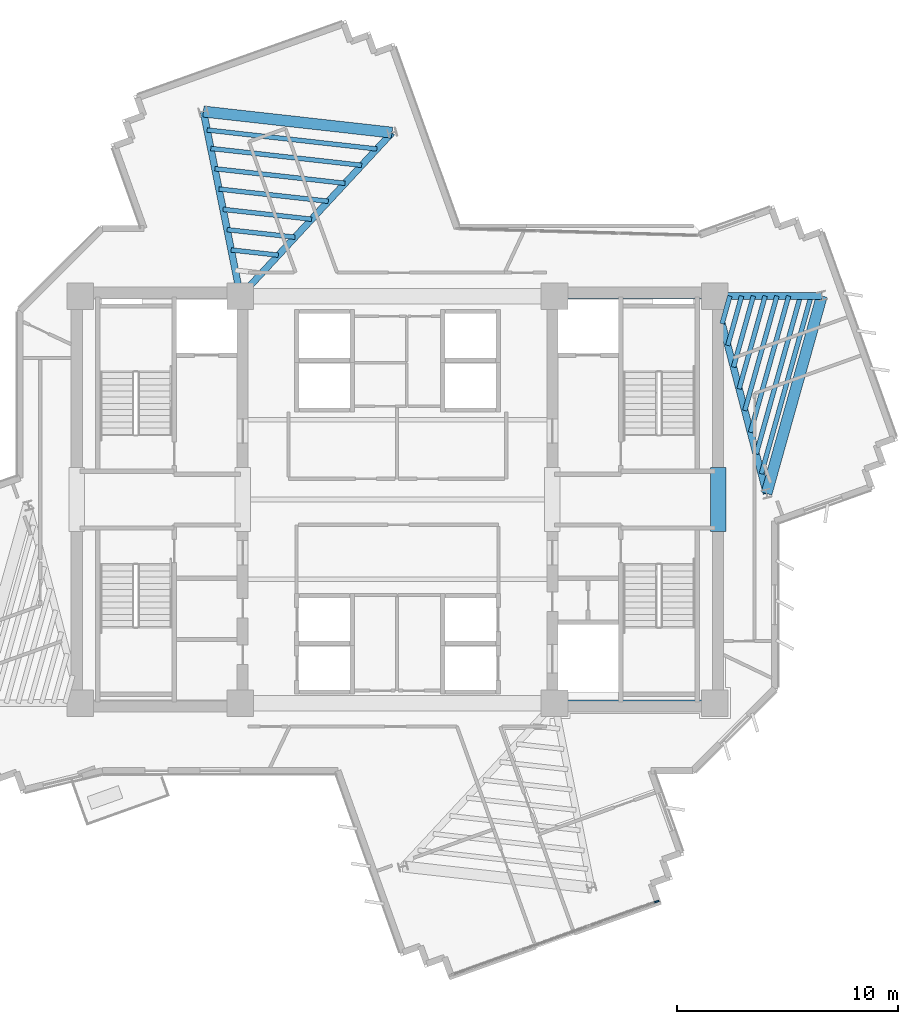
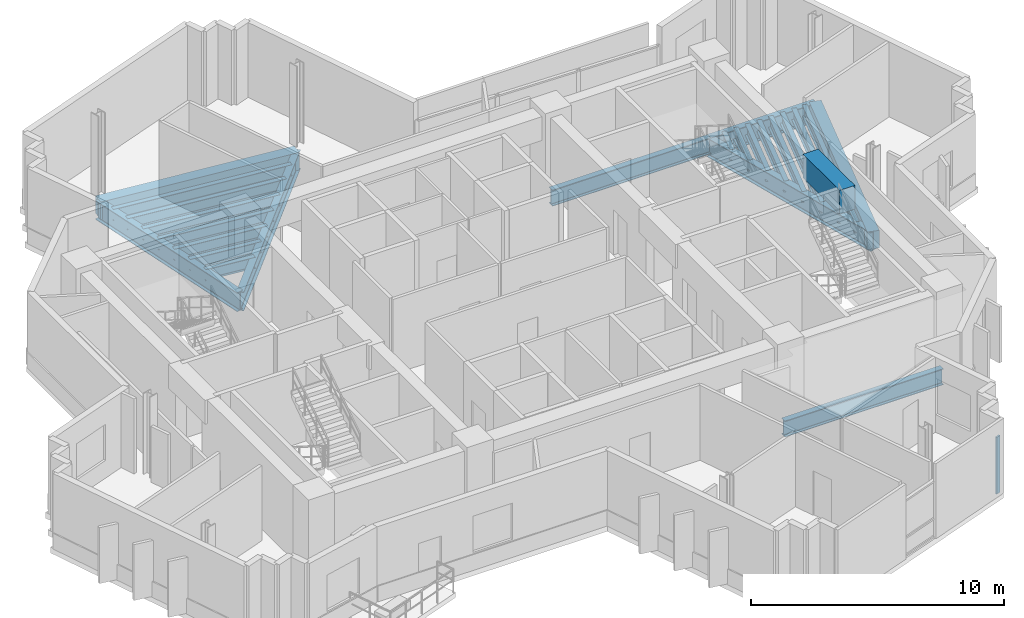
# One storey, part 3 of 13: 24 beams, 1 member, 1 element without a shape of its own.
"""IFC4 building model written with IfcOpenShell, lengths in metres."""

from ifc_helpers import new_model, si_unit, direction, frame, origin, origin_2d, place, context, subcontext, project, spatial, rectangle, i_section, extrude, source, transform, mapped, material, layer, layer_set, material_profile, profile_set, type_object, element, aggregate, save


model = new_model("IFC4")

# Units and contexts
model_context = context("Model", 3, precision=1e-05, world=origin(), true_north=direction((0.0, 1.0)))
body_context = subcontext(model_context, "Body", "Model", "MODEL_VIEW")
ifc_project = project(units=[si_unit("LENGTHUNIT", "METRE"), si_unit("AREAUNIT", "SQUARE_METRE"), si_unit("VOLUMEUNIT", "CUBIC_METRE"), si_unit("PLANEANGLEUNIT", "RADIAN"), si_unit("MASSUNIT", "GRAM", prefix="KILO")], contexts=[model_context])

# Site, building, storey
site_placement = place(None, origin())
site = spatial("IfcSite", under=ifc_project, at=site_placement, CompositionType="ELEMENT")
building_placement = place(site_placement, origin())
building = spatial("IfcBuilding", under=site, at=building_placement, Name="Zahravan Cultural Tower", CompositionType="ELEMENT")
storey_placement = place(building_placement, frame((0.0, 0.0, 221.39990234375)))
storey = spatial("IfcBuildingStorey", under=building, at=storey_placement, Name="L52", CompositionType="ELEMENT", Elevation=221.39990234375)

# Beams
ifc_material_1 = material(Name="Concrete C50/60", Category="concrete")
ifc_material_profile_1 = material_profile(ifc_material_1, rectangle(XDim=0.699951171875, YDim=1.14990234375, at=origin_2d()), Name="RC700X1150")
ifc_profile_set_1 = profile_set([ifc_material_profile_1], Name="Concrete C50/60")
beam_type_1 = type_object("IfcBeamType", Name="BM-LN-RC700X1150", PredefinedType="LINTEL", material=ifc_profile_set_1)
shared_shape_1 = source(origin(), body_context, "Body", "SweptSolid", [
    extrude(rectangle(XDim=0.699951171875, YDim=1.14990234375, at=origin_2d()), origin(), (0.0, 0.0, 1.0), 2.89990234375),
])
beam_1_placement = place(storey_placement, frame((50.5, 25.550048828125, 3.045166015625), z_axis=(0.0, 1.0, 0.0), x_axis=(-1.0, 0.0, 0.0)))
element("IfcBeam", 1, at=beam_1_placement, inside=storey, type_object=beam_type_1, Name="L52 Beam LN-L52-PEE", PredefinedType="LINTEL", context=body_context, shape_type="MappedRepresentation", body=[
    mapped(shared_shape_1, transform((0.0, 0.0, 0.0), x_axis=(1.0, 0.0, 0.0), y_axis=(0.0, 1.0, 0.0), z_axis=(0.0, 0.0, 1.0), scale=1.0)),
])
ifc_material_2 = material(Name="Steel ASTM A992 Grade 50", Category="steel")
ifc_material_profile_2 = material_profile(ifc_material_2, i_section(OverallWidth=0.26611328125, OverallDepth=0.780029296875, WebThickness=0.0166015625, FlangeThickness=0.030029296875, FilletRadius=0.01904296875, at=origin_2d()), Name="W30X148")
ifc_profile_set_2 = profile_set([ifc_material_profile_2], Name="Steel ASTM A992 Grade 50")
beam_type_2 = type_object("IfcBeamType", Name="BM-G-W30X148", PredefinedType="BEAM", material=ifc_profile_set_2)
shared_shape_2 = source(origin(), body_context, "Body", "SweptSolid", [
    extrude(i_section(OverallWidth=0.26611328125, OverallDepth=0.780029296875, WebThickness=0.0166015625, FlangeThickness=0.030029296875, FilletRadius=0.01904296875, at=origin_2d()), origin(), (0.0, 0.0, 1.0), 7.25),
])
for number, where, z_axis, x_axis, name in (
    (2, (43.10009765625, 17.800048828125, -0.669921875), (1.0, 0.0, 0.0), (0.0, 1.0, 0.0), "L52 Beam BG-L52-04"),
    (3, (43.10009765625, 36.199951171875, -0.669921875), (1.0, 0.0, 0.0), (0.0, 1.0, 0.0), "L52 Beam BG-L52-05"),
):
    element("IfcBeam", number, at=place(storey_placement, frame(where, z_axis=z_axis, x_axis=x_axis)), inside=storey, type_object=beam_type_2, Name=name, PredefinedType="BEAM", context=body_context, shape_type="MappedRepresentation", body=[
        mapped(shared_shape_2, transform((0.0, 0.0, 0.0), x_axis=(1.0, 0.0, 0.0), y_axis=(0.0, 1.0, 0.0), z_axis=(0.0, 0.0, 1.0), scale=1.0)),
    ])
ifc_material_profile_3 = material_profile(ifc_material_2, i_section(OverallWidth=0.304931640625, OverallDepth=0.9189453125, WebThickness=0.017333984375, FlangeThickness=0.02783203125, FilletRadius=0.02392578125, at=origin_2d()), Name="W36X170")
ifc_profile_set_3 = profile_set([ifc_material_profile_3], Name="Steel ASTM A992 Grade 50")
beam_type_3 = type_object("IfcBeamType", Name="BM-G-W36X170", PredefinedType="BEAM", material=ifc_profile_set_3)
shared_shape_3 = source(origin(), body_context, "Body", "SweptSolid", [
    extrude(i_section(OverallWidth=0.304931640625, OverallDepth=0.9189453125, WebThickness=0.017333984375, FlangeThickness=0.02783203125, FilletRadius=0.02392578125, at=origin_2d()), origin(), (0.0, 0.0, 1.0), 9.22900390625),
])
beam_2_placement = place(storey_placement, frame((50.35009765625, 36.199951171875, -0.739501953125), z_axis=(0.252922608408, -0.967486513682, 0.0), x_axis=(0.967486513682, 0.252922608408, 0.0)))
element("IfcBeam", 4, at=beam_2_placement, inside=storey, type_object=beam_type_3, Name="L52 Beam BG-L52-11", PredefinedType="BEAM", context=body_context, shape_type="MappedRepresentation", body=[
    mapped(shared_shape_3, transform((0.0, 0.0, 0.0), x_axis=(1.0, 0.0, 0.0), y_axis=(0.0, 1.0, 0.0), z_axis=(0.0, 0.0, 1.0), scale=1.0)),
])
shared_shape_4 = source(origin(), body_context, "Body", "SweptSolid", [
    extrude(i_section(OverallWidth=0.304931640625, OverallDepth=0.9189453125, WebThickness=0.017333984375, FlangeThickness=0.02783203125, FilletRadius=0.02392578125, at=origin_2d()), origin(), (0.0, 0.0, 1.0), 4.834716796875),
])
beam_3_placement = place(storey_placement, frame((50.35009765625, 36.199951171875, -0.739501953125), z_axis=(0.99999920313, 0.001262433979, 0.0), x_axis=(-0.001262433979, 0.99999920313, 0.0)))
element("IfcBeam", 5, at=beam_3_placement, inside=storey, type_object=beam_type_3, Name="L52 Beam BG-L52-12", PredefinedType="BEAM", context=body_context, shape_type="MappedRepresentation", body=[
    mapped(shared_shape_4, transform((0.0, 0.0, 0.0), x_axis=(1.0, 0.0, 0.0), y_axis=(0.0, 1.0, 0.0), z_axis=(0.0, 0.0, 1.0), scale=1.0)),
])
shared_shape_5 = source(origin(), body_context, "Body", "SweptSolid", [
    extrude(i_section(OverallWidth=0.304931640625, OverallDepth=0.9189453125, WebThickness=0.017333984375, FlangeThickness=0.02783203125, FilletRadius=0.02392578125, at=origin_2d()), origin(), (0.0, 0.0, 1.0), 10.077880859375),
])
beam_4_placement = place(storey_placement, frame((28.89990234375, 36.199951171875, -0.739501953125), z_axis=(0.680170435587, 0.733054007938, 0.0), x_axis=(-0.733054007938, 0.680170435587, 0.0)))
element("IfcBeam", 6, at=beam_4_placement, inside=storey, type_object=beam_type_3, Name="L52 Beam BG-L52-13", PredefinedType="BEAM", context=body_context, shape_type="MappedRepresentation", body=[
    mapped(shared_shape_5, transform((0.0, 0.0, 0.0), x_axis=(1.0, 0.0, 0.0), y_axis=(0.0, 1.0, 0.0), z_axis=(0.0, 0.0, 1.0), scale=1.0)),
])
shared_shape_6 = source(origin(), body_context, "Body", "SweptSolid", [
    extrude(i_section(OverallWidth=0.304931640625, OverallDepth=0.9189453125, WebThickness=0.017333984375, FlangeThickness=0.02783203125, FilletRadius=0.02392578125, at=origin_2d()), origin(), (0.0, 0.0, 1.0), 8.50732421875),
])
beam_5_placement = place(storey_placement, frame((28.89990234375, 36.199951171875, -0.739501953125), z_axis=(-0.196524514012, 0.980498911469, 0.0), x_axis=(-0.980498911469, -0.196524514012, 0.0)))
element("IfcBeam", 7, at=beam_5_placement, inside=storey, type_object=beam_type_3, Name="L52 Beam BG-L52-14", PredefinedType="BEAM", context=body_context, shape_type="MappedRepresentation", body=[
    mapped(shared_shape_6, transform((0.0, 0.0, 0.0), x_axis=(1.0, 0.0, 0.0), y_axis=(0.0, 1.0, 0.0), z_axis=(0.0, 0.0, 1.0), scale=1.0)),
])
ifc_material_profile_4 = material_profile(ifc_material_1, rectangle(XDim=0.5, YDim=0.85009765625, at=origin_2d()), Name="RC500X850")
ifc_profile_set_4 = profile_set([ifc_material_profile_4], Name="Concrete C50/60")
beam_type_4 = type_object("IfcBeamType", Name="BM-SP-RC500X850", PredefinedType="SPANDREL", material=ifc_profile_set_4)
shared_shape_7 = source(origin(), body_context, "Body", "SweptSolid", [
    extrude(rectangle(XDim=0.5, YDim=0.85009765625, at=origin_2d()), origin(), (0.0, 0.0, 1.0), 9.2783203125),
])
beam_6_placement = place(storey_placement, frame((52.684326171875, 27.27099609375, -0.704833984375), z_axis=(0.269497187032, 0.963001176625, 0.0), x_axis=(-0.963001176625, 0.269497187032, 0.0)))
element("IfcBeam", 8, at=beam_6_placement, inside=storey, type_object=beam_type_4, Name="L52 Beam SP-L52-17", PredefinedType="SPANDREL", context=body_context, shape_type="MappedRepresentation", body=[
    mapped(shared_shape_7, transform((0.0, 0.0, 0.0), x_axis=(1.0, 0.0, 0.0), y_axis=(0.0, 1.0, 0.0), z_axis=(0.0, 0.0, 1.0), scale=1.0)),
])
shared_shape_8 = source(origin(), body_context, "Body", "SweptSolid", [
    extrude(rectangle(XDim=0.5, YDim=0.85009765625, at=origin_2d()), origin(), (0.0, 0.0, 1.0), 8.579833984375),
])
beam_7_placement = place(storey_placement, frame((35.754638671875, 43.587646484375, -0.704833984375), z_axis=(-0.9938040105, 0.11114669907, 0.0), x_axis=(-0.11114669907, -0.9938040105, 0.0)))
element("IfcBeam", 9, at=beam_7_placement, inside=storey, type_object=beam_type_4, Name="L52 Beam SP-L52-18", PredefinedType="SPANDREL", context=body_context, shape_type="MappedRepresentation", body=[
    mapped(shared_shape_8, transform((0.0, 0.0, 0.0), x_axis=(1.0, 0.0, 0.0), y_axis=(0.0, 1.0, 0.0), z_axis=(0.0, 0.0, 1.0), scale=1.0)),
])
ifc_material_profile_5 = material_profile(ifc_material_2, i_section(OverallWidth=0.2099609375, OverallDepth=0.532958984375, WebThickness=0.01025390625, FlangeThickness=0.015625, FilletRadius=0.013916015625, at=origin_2d()), Name="W21X62")
ifc_profile_set_5 = profile_set([ifc_material_profile_5], Name="Steel ASTM A992 Grade 50")
beam_type_5 = type_object("IfcBeamType", Name="BM-J-W21X62", PredefinedType="JOIST", material=ifc_profile_set_5)
shared_shape_9 = source(origin(), body_context, "Body", "SweptSolid", [
    extrude(i_section(OverallWidth=0.2099609375, OverallDepth=0.532958984375, WebThickness=0.01025390625, FlangeThickness=0.015625, FilletRadius=0.013916015625, at=origin_2d()), origin(), (0.0, 0.0, 1.0), 1.299072265625),
])
beam_8_placement = place(storey_placement, frame((50.6767578125, 34.949951171875, -0.54638671875), z_axis=(0.269504444708, 0.962999145525, 0.0), x_axis=(-0.962999145525, 0.269504444708, 0.0)))
element("IfcBeam", 10, at=beam_8_placement, inside=storey, type_object=beam_type_5, Name="L52 Beam BJ-L52-38", PredefinedType="JOIST", context=body_context, shape_type="MappedRepresentation", body=[
    mapped(shared_shape_9, transform((0.0, 0.0, 0.0), x_axis=(1.0, 0.0, 0.0), y_axis=(0.0, 1.0, 0.0), z_axis=(0.0, 0.0, 1.0), scale=1.0)),
])
shared_shape_10 = source(origin(), body_context, "Body", "SweptSolid", [
    extrude(i_section(OverallWidth=0.2099609375, OverallDepth=0.532958984375, WebThickness=0.01025390625, FlangeThickness=0.015625, FilletRadius=0.013916015625, at=origin_2d()), origin(), (0.0, 0.0, 1.0), 2.3193359375),
])
beam_9_placement = place(storey_placement, frame((50.93359375, 33.9677734375, -0.54638671875), z_axis=(0.269462038626, 0.963011012263, 0.0), x_axis=(-0.963011012263, 0.269462038626, 0.0)))
element("IfcBeam", 11, at=beam_9_placement, inside=storey, type_object=beam_type_5, Name="L52 Beam BJ-L52-39", PredefinedType="JOIST", context=body_context, shape_type="MappedRepresentation", body=[
    mapped(shared_shape_10, transform((0.0, 0.0, 0.0), x_axis=(1.0, 0.0, 0.0), y_axis=(0.0, 1.0, 0.0), z_axis=(0.0, 0.0, 1.0), scale=1.0)),
])
shared_shape_11 = source(origin(), body_context, "Body", "SweptSolid", [
    extrude(i_section(OverallWidth=0.2099609375, OverallDepth=0.532958984375, WebThickness=0.01025390625, FlangeThickness=0.015625, FilletRadius=0.013916015625, at=origin_2d()), origin(), (0.0, 0.0, 1.0), 3.340087890625),
])
beam_10_placement = place(storey_placement, frame((51.190185546875, 32.985595703125, -0.54638671875), z_axis=(0.269562146951, 0.962982995141, 0.0), x_axis=(-0.962982995141, 0.269562146951, 0.0)))
element("IfcBeam", 12, at=beam_10_placement, inside=storey, type_object=beam_type_5, Name="L52 Beam BJ-L52-40", PredefinedType="JOIST", context=body_context, shape_type="MappedRepresentation", body=[
    mapped(shared_shape_11, transform((0.0, 0.0, 0.0), x_axis=(1.0, 0.0, 0.0), y_axis=(0.0, 1.0, 0.0), z_axis=(0.0, 0.0, 1.0), scale=1.0)),
])
shared_shape_12 = source(origin(), body_context, "Body", "SweptSolid", [
    extrude(i_section(OverallWidth=0.2099609375, OverallDepth=0.532958984375, WebThickness=0.01025390625, FlangeThickness=0.015625, FilletRadius=0.013916015625, at=origin_2d()), origin(), (0.0, 0.0, 1.0), 4.36083984375),
])
beam_11_placement = place(storey_placement, frame((51.447021484375, 32.00341796875, -0.54638671875), z_axis=(0.269511557673, 0.962997154866, 0.0), x_axis=(-0.962997154866, 0.269511557673, 0.0)))
element("IfcBeam", 13, at=beam_11_placement, inside=storey, type_object=beam_type_5, Name="L52 Beam BJ-L52-41", PredefinedType="JOIST", context=body_context, shape_type="MappedRepresentation", body=[
    mapped(shared_shape_12, transform((0.0, 0.0, 0.0), x_axis=(1.0, 0.0, 0.0), y_axis=(0.0, 1.0, 0.0), z_axis=(0.0, 0.0, 1.0), scale=1.0)),
])
shared_shape_13 = source(origin(), body_context, "Body", "SweptSolid", [
    extrude(i_section(OverallWidth=0.2099609375, OverallDepth=0.532958984375, WebThickness=0.01025390625, FlangeThickness=0.015625, FilletRadius=0.013916015625, at=origin_2d()), origin(), (0.0, 0.0, 1.0), 5.3818359375),
])
beam_12_placement = place(storey_placement, frame((51.703857421875, 31.02099609375, -0.54638671875), z_axis=(0.269510454638, 0.962997463569, 0.0), x_axis=(-0.962997463569, 0.269510454638, 0.0)))
element("IfcBeam", 14, at=beam_12_placement, inside=storey, type_object=beam_type_5, Name="L52 Beam BJ-L52-42", PredefinedType="JOIST", context=body_context, shape_type="MappedRepresentation", body=[
    mapped(shared_shape_13, transform((0.0, 0.0, 0.0), x_axis=(1.0, 0.0, 0.0), y_axis=(0.0, 1.0, 0.0), z_axis=(0.0, 0.0, 1.0), scale=1.0)),
])
shared_shape_14 = source(origin(), body_context, "Body", "SweptSolid", [
    extrude(i_section(OverallWidth=0.2099609375, OverallDepth=0.532958984375, WebThickness=0.01025390625, FlangeThickness=0.015625, FilletRadius=0.013916015625, at=origin_2d()), origin(), (0.0, 0.0, 1.0), 6.402099609375),
])
beam_13_placement = place(storey_placement, frame((51.960693359375, 30.038818359375, -0.54638671875), z_axis=(0.269494133533, 0.963002031146, 0.0), x_axis=(-0.963002031146, 0.269494133533, 0.0)))
element("IfcBeam", 15, at=beam_13_placement, inside=storey, type_object=beam_type_5, Name="L52 Beam BJ-L52-43", PredefinedType="JOIST", context=body_context, shape_type="MappedRepresentation", body=[
    mapped(shared_shape_14, transform((0.0, 0.0, 0.0), x_axis=(1.0, 0.0, 0.0), y_axis=(0.0, 1.0, 0.0), z_axis=(0.0, 0.0, 1.0), scale=1.0)),
])
shared_shape_15 = source(origin(), body_context, "Body", "SweptSolid", [
    extrude(i_section(OverallWidth=0.2099609375, OverallDepth=0.532958984375, WebThickness=0.01025390625, FlangeThickness=0.015625, FilletRadius=0.013916015625, at=origin_2d()), origin(), (0.0, 0.0, 1.0), 7.4228515625),
])
beam_14_placement = place(storey_placement, frame((52.21728515625, 29.056640625, -0.54638671875), z_axis=(0.269504266128, 0.962999195503, 0.0), x_axis=(-0.962999195503, 0.269504266128, 0.0)))
element("IfcBeam", 16, at=beam_14_placement, inside=storey, type_object=beam_type_5, Name="L52 Beam BJ-L52-44", PredefinedType="JOIST", context=body_context, shape_type="MappedRepresentation", body=[
    mapped(shared_shape_15, transform((0.0, 0.0, 0.0), x_axis=(1.0, 0.0, 0.0), y_axis=(0.0, 1.0, 0.0), z_axis=(0.0, 0.0, 1.0), scale=1.0)),
])
shared_shape_16 = source(origin(), body_context, "Body", "SweptSolid", [
    extrude(i_section(OverallWidth=0.2099609375, OverallDepth=0.532958984375, WebThickness=0.01025390625, FlangeThickness=0.015625, FilletRadius=0.013916015625, at=origin_2d()), origin(), (0.0, 0.0, 1.0), 8.350830078125),
])
beam_15_placement = place(storey_placement, frame((52.450927734375, 28.163818359375, -0.54638671875), z_axis=(0.269496539555, 0.963001357822, 0.0), x_axis=(-0.963001357822, 0.269496539555, 0.0)))
element("IfcBeam", 17, at=beam_15_placement, inside=storey, type_object=beam_type_5, Name="L52 Beam BJ-L52-45", PredefinedType="JOIST", context=body_context, shape_type="MappedRepresentation", body=[
    mapped(shared_shape_16, transform((0.0, 0.0, 0.0), x_axis=(1.0, 0.0, 0.0), y_axis=(0.0, 1.0, 0.0), z_axis=(0.0, 0.0, 1.0), scale=1.0)),
])
shared_shape_17 = source(origin(), body_context, "Body", "SweptSolid", [
    extrude(i_section(OverallWidth=0.2099609375, OverallDepth=0.532958984375, WebThickness=0.01025390625, FlangeThickness=0.015625, FilletRadius=0.013916015625, at=origin_2d()), origin(), (0.0, 0.0, 1.0), 2.144775390625),
])
beam_16_placement = place(storey_placement, frame((30.613525390625, 38.046875, -0.54638671875), z_axis=(-0.993797370806, 0.111206051, 0.0), x_axis=(-0.111206051, -0.993797370806, 0.0)))
element("IfcBeam", 18, at=beam_16_placement, inside=storey, type_object=beam_type_5, Name="L52 Beam BJ-L52-47", PredefinedType="JOIST", context=body_context, shape_type="MappedRepresentation", body=[
    mapped(shared_shape_17, transform((0.0, 0.0, 0.0), x_axis=(1.0, 0.0, 0.0), y_axis=(0.0, 1.0, 0.0), z_axis=(0.0, 0.0, 1.0), scale=1.0)),
])
shared_shape_18 = source(origin(), body_context, "Body", "SweptSolid", [
    extrude(i_section(OverallWidth=0.2099609375, OverallDepth=0.532958984375, WebThickness=0.01025390625, FlangeThickness=0.015625, FilletRadius=0.013916015625, at=origin_2d()), origin(), (0.0, 0.0, 1.0), 3.088623046875),
])
beam_17_placement = place(storey_placement, frame((31.36767578125, 38.859619140625, -0.54638671875), z_axis=(-0.993805407368, 0.111134208443, 0.0), x_axis=(-0.111134208443, -0.993805407368, 0.0)))
element("IfcBeam", 19, at=beam_17_placement, inside=storey, type_object=beam_type_5, Name="L52 Beam BJ-L52-48", PredefinedType="JOIST", context=body_context, shape_type="MappedRepresentation", body=[
    mapped(shared_shape_18, transform((0.0, 0.0, 0.0), x_axis=(1.0, 0.0, 0.0), y_axis=(0.0, 1.0, 0.0), z_axis=(0.0, 0.0, 1.0), scale=1.0)),
])
shared_shape_19 = source(origin(), body_context, "Body", "SweptSolid", [
    extrude(i_section(OverallWidth=0.2099609375, OverallDepth=0.532958984375, WebThickness=0.01025390625, FlangeThickness=0.015625, FilletRadius=0.013916015625, at=origin_2d()), origin(), (0.0, 0.0, 1.0), 4.0322265625),
])
beam_18_placement = place(storey_placement, frame((32.12158203125, 39.672119140625, -0.54638671875), z_axis=(-0.993802245601, 0.11116247855, 0.0), x_axis=(-0.11116247855, -0.993802245601, 0.0)))
element("IfcBeam", 20, at=beam_18_placement, inside=storey, type_object=beam_type_5, Name="L52 Beam BJ-L52-49", PredefinedType="JOIST", context=body_context, shape_type="MappedRepresentation", body=[
    mapped(shared_shape_19, transform((0.0, 0.0, 0.0), x_axis=(1.0, 0.0, 0.0), y_axis=(0.0, 1.0, 0.0), z_axis=(0.0, 0.0, 1.0), scale=1.0)),
])
shared_shape_20 = source(origin(), body_context, "Body", "SweptSolid", [
    extrude(i_section(OverallWidth=0.2099609375, OverallDepth=0.532958984375, WebThickness=0.01025390625, FlangeThickness=0.015625, FilletRadius=0.013916015625, at=origin_2d()), origin(), (0.0, 0.0, 1.0), 4.97607421875),
])
beam_19_placement = place(storey_placement, frame((32.875732421875, 40.48486328125, -0.54638671875), z_axis=(-0.993806308517, 0.111126149723, 0.0), x_axis=(-0.111126149723, -0.993806308517, 0.0)))
element("IfcBeam", 21, at=beam_19_placement, inside=storey, type_object=beam_type_5, Name="L52 Beam BJ-L52-50", PredefinedType="JOIST", context=body_context, shape_type="MappedRepresentation", body=[
    mapped(shared_shape_20, transform((0.0, 0.0, 0.0), x_axis=(1.0, 0.0, 0.0), y_axis=(0.0, 1.0, 0.0), z_axis=(0.0, 0.0, 1.0), scale=1.0)),
])
shared_shape_21 = source(origin(), body_context, "Body", "SweptSolid", [
    extrude(i_section(OverallWidth=0.2099609375, OverallDepth=0.532958984375, WebThickness=0.01025390625, FlangeThickness=0.015625, FilletRadius=0.013916015625, at=origin_2d()), origin(), (0.0, 0.0, 1.0), 5.919921875),
])
beam_20_placement = place(storey_placement, frame((33.629638671875, 41.29736328125, -0.54638671875), z_axis=(-0.993804520866, 0.111142135602, 0.0), x_axis=(-0.111142135602, -0.993804520866, 0.0)))
element("IfcBeam", 22, at=beam_20_placement, inside=storey, type_object=beam_type_5, Name="L52 Beam BJ-L52-51", PredefinedType="JOIST", context=body_context, shape_type="MappedRepresentation", body=[
    mapped(shared_shape_21, transform((0.0, 0.0, 0.0), x_axis=(1.0, 0.0, 0.0), y_axis=(0.0, 1.0, 0.0), z_axis=(0.0, 0.0, 1.0), scale=1.0)),
])
shared_shape_22 = source(origin(), body_context, "Body", "SweptSolid", [
    extrude(i_section(OverallWidth=0.2099609375, OverallDepth=0.532958984375, WebThickness=0.01025390625, FlangeThickness=0.015625, FilletRadius=0.013916015625, at=origin_2d()), origin(), (0.0, 0.0, 1.0), 6.86376953125),
])
beam_21_placement = place(storey_placement, frame((34.3837890625, 42.110107421875, -0.54638671875), z_axis=(-0.993803224695, 0.111153725024, 0.0), x_axis=(-0.111153725024, -0.993803224695, 0.0)))
element("IfcBeam", 23, at=beam_21_placement, inside=storey, type_object=beam_type_5, Name="L52 Beam BJ-L52-52", PredefinedType="JOIST", context=body_context, shape_type="MappedRepresentation", body=[
    mapped(shared_shape_22, transform((0.0, 0.0, 0.0), x_axis=(1.0, 0.0, 0.0), y_axis=(0.0, 1.0, 0.0), z_axis=(0.0, 0.0, 1.0), scale=1.0)),
])
shared_shape_23 = source(origin(), body_context, "Body", "SweptSolid", [
    extrude(i_section(OverallWidth=0.2099609375, OverallDepth=0.532958984375, WebThickness=0.01025390625, FlangeThickness=0.015625, FilletRadius=0.013916015625, at=origin_2d()), origin(), (0.0, 0.0, 1.0), 7.7216796875),
])
beam_22_placement = place(storey_placement, frame((35.069091796875, 42.848876953125, -0.54638671875), z_axis=(-0.993805212115, 0.11113595446, 0.0), x_axis=(-0.11113595446, -0.993805212115, 0.0)))
element("IfcBeam", 24, at=beam_22_placement, inside=storey, type_object=beam_type_5, Name="L52 Beam BJ-L52-53", PredefinedType="JOIST", context=body_context, shape_type="MappedRepresentation", body=[
    mapped(shared_shape_23, transform((0.0, 0.0, 0.0), x_axis=(1.0, 0.0, 0.0), y_axis=(0.0, 1.0, 0.0), z_axis=(0.0, 0.0, 1.0), scale=1.0)),
])

# Curtain wall, member
ifc_material_3 = material(Name="Anodised bronze-aluminium mullion", Category="aluminium")
ifc_layer = layer(ifc_material_3, 0.199951171875)
ifc_layer_set = layer_set([ifc_layer], Name="Anodised bronze-aluminium mullion")
curtain_wall_type = type_object("IfcCurtainWallType", Name="CW-SYS-2", PredefinedType="USERDEFINED", material=ifc_layer_set)
curtain_wall_placement = place(storey_placement, origin())
curtain_wall = element("IfcCurtainWall", 25, at=curtain_wall_placement, inside=storey, type_object=curtain_wall_type, Name="L52 Recessed Curtain Wall CW-2.1", ObjectType="RECESSED GLAZING", PredefinedType="USERDEFINED")
ifc_material_profile_6 = material_profile(ifc_material_3, rectangle(XDim=0.074951171875, YDim=0.199951171875, at=origin_2d()), Name="AL-M75X200")
ifc_profile_set_6 = profile_set([ifc_material_profile_6], Name="Anodised bronze-aluminium mullion")
member_type = type_object("IfcMemberType", Name="CWM-CW-2", PredefinedType="MULLION", material=ifc_profile_set_6)
shared_shape_24 = source(origin(), body_context, "Body", "SweptSolid", [
    extrude(rectangle(XDim=0.074951171875, YDim=0.199951171875, at=origin_2d()), origin(), (0.0, 0.0, 1.0), 2.739990234375),
])
member_placement = place(storey_placement, frame((47.72314453125, 8.8251953125, 0.0), z_axis=(0.0, 0.0, 1.0), x_axis=(0.336540737832, -0.941668907727, 0.0)))
member = element("IfcMember", 26, at=member_placement, type_object=member_type, Name="CW-2 mullion 1", PredefinedType="MULLION", context=body_context, shape_type="MappedRepresentation", body=[
    mapped(shared_shape_24, transform((0.0, 0.0, 0.0), x_axis=(1.0, 0.0, 0.0), y_axis=(0.0, 1.0, 0.0), z_axis=(0.0, 0.0, 1.0), scale=1.0)),
])
aggregate(curtain_wall, [member])

save(model, "model.ifc")
